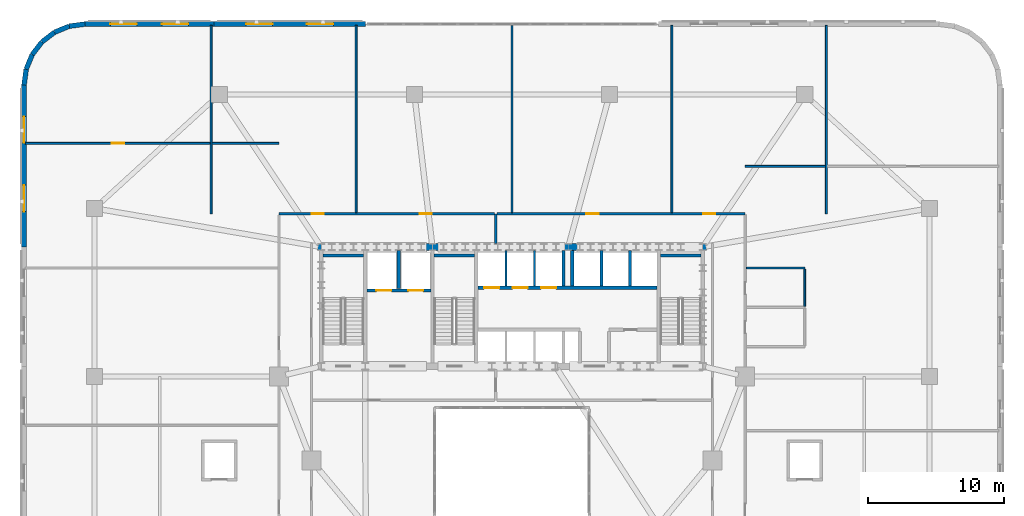
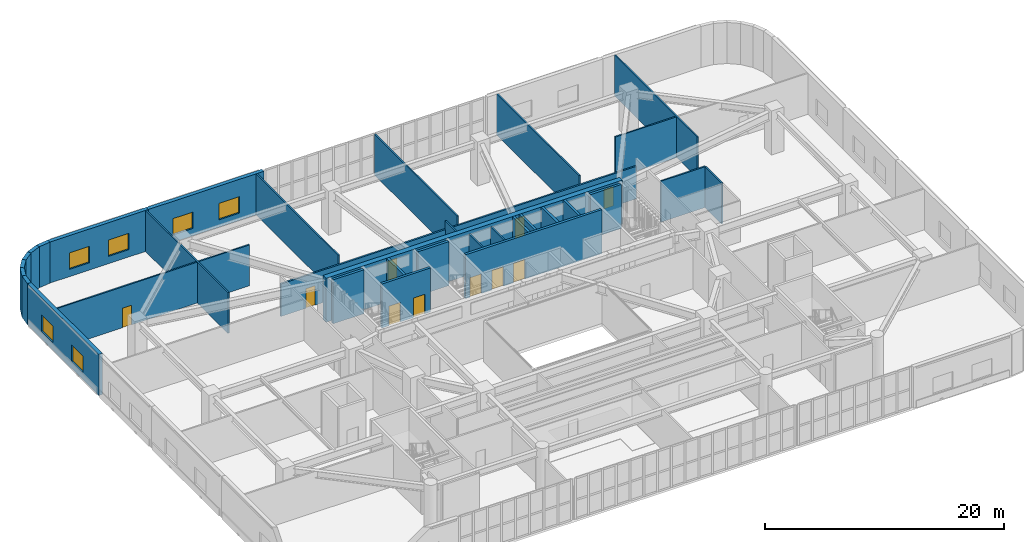
# One storey, part 16 of 25: 35 walls, 10 doors, 6 windows, 16 openings.
"""IFC4 building model written with IfcOpenShell, lengths in metres."""

from ifc_helpers import new_model, si_unit, direction, frame, frame_2d, origin, place, context, subcontext, project, spatial, rectangle, extrude, material, layer, layer_set, type_object, element, fill, save


model = new_model("IFC4")

# Units and contexts
model_context = context("Model", 3, precision=1e-05, world=origin(), true_north=direction((0.0, 1.0)))
body_context = subcontext(model_context, "Body", "Model", "MODEL_VIEW")
ifc_project = project(units=[si_unit("LENGTHUNIT", "METRE"), si_unit("AREAUNIT", "SQUARE_METRE"), si_unit("VOLUMEUNIT", "CUBIC_METRE"), si_unit("PLANEANGLEUNIT", "RADIAN"), si_unit("MASSUNIT", "GRAM", prefix="KILO")], contexts=[model_context])

# Site, building, storey
site_placement = place(None, origin())
site = spatial("IfcSite", under=ifc_project, at=site_placement, CompositionType="ELEMENT")
building_placement = place(site_placement, origin())
building = spatial("IfcBuilding", under=site, at=building_placement, Name="Haldorwick Loom Tower", CompositionType="ELEMENT")
storey_placement = place(building_placement, frame((0.0, 0.0, 10.5)))
storey = spatial("IfcBuildingStorey", under=building, at=storey_placement, Name="L02", CompositionType="ELEMENT", Elevation=10.5)

# Wall, openings, windows
ifc_material_1 = material(Name="Pressed Clay Face Brick and Insulated Masonry Backup Assembly", Category="masonry")
ifc_layer_1 = layer(ifc_material_1, 0.360107421875, Name="Pressed Clay Face Brick and Insulated Masonry Backup Assembly", Category="masonry")
ifc_layer_set_1 = layer_set([ifc_layer_1], Name="Pressed Clay Face Brick and Insulated Masonry Backup Assembly")
wall_type_1 = type_object("IfcWallType", Name="ARC-WL-EXT360", PredefinedType="STANDARD", material=ifc_layer_set_1)
wall_1_placement = place(storey_placement, frame((25.199951171875, 52.0, 0.0), z_axis=(0.0, 0.0, 1.0), x_axis=(-1.0, 0.0, 0.0)))
wall_1 = element("IfcWall", 1, at=wall_1_placement, inside=storey, type_object=wall_type_1, Name="L02 Brick Pier and Spandrel Wall 20", PredefinedType="STANDARD", context=body_context, shape_type="SweptSolid", body=[
    extrude(rectangle(XDim=11.199951171875, YDim=0.360107421875, at=frame_2d((5.60009765625, 0.0))), origin(), (0.0, 0.0, 1.0), 4.199951171875),
])
opening_1_placement = place(wall_1_placement, frame((2.385009765625, 0.0, 0.75)))
opening_1 = element("IfcOpeningElement", 2, at=opening_1_placement, cuts=wall_1, Name="Opening W-04B", PredefinedType="OPENING", context=body_context, shape_type="SweptSolid", body=[
    extrude(rectangle(XDim=1.949951171875, YDim=1.679931640625, at=frame_2d((0.97509765625, 0.83984375))), frame((0.0, 0.18994140625, 0.0), z_axis=(0.0, -1.0, 0.0), x_axis=(1.0, 0.0, 0.0)), (0.0, 0.0, 1.0), 0.380126953125),
])
opening_2_placement = place(wall_1_placement, frame((6.864990234375, 0.0, 0.75)))
opening_2 = element("IfcOpeningElement", 3, at=opening_2_placement, cuts=wall_1, Name="Opening W-04B", PredefinedType="OPENING", context=body_context, shape_type="SweptSolid", body=[
    extrude(rectangle(XDim=1.949951171875, YDim=1.679931640625, at=frame_2d((0.97509765625, 0.83984375))), frame((0.0, 0.18994140625, 0.0), z_axis=(0.0, -1.0, 0.0), x_axis=(1.0, 0.0, 0.0)), (0.0, 0.0, 1.0), 0.380126953125),
])
ifc_material_2 = material(Name="Triple-Glazed Low-E Argon Insulated Glazing Unit", Category="glass")
window_type = type_object("IfcWindowType", Name="ARC-WIN-W195", PartitioningType="SINGLE_PANEL", PredefinedType="WINDOW", material=ifc_material_2)
window_1_placement = place(opening_1_placement, origin())
window_1 = element("IfcWindow", 4, at=window_1_placement, inside=storey, type_object=window_type, Name="L02 Deep-Set Zone 7A Window 20", OverallHeight=1.679931640625, OverallWidth=1.949951171875, PartitioningType="SINGLE_PANEL", PredefinedType="WINDOW", context=body_context, shape_type="SweptSolid", body=[
    extrude(rectangle(XDim=1.949951171875, YDim=1.679931640625, at=frame_2d((0.97509765625, 0.83984375))), frame((0.0, 0.030029296875, 0.0), z_axis=(0.0, -1.0, 0.0), x_axis=(1.0, 0.0, 0.0)), (0.0, 0.0, 1.0), 0.06005859375),
])
fill(opening_1, window_1)
window_2_placement = place(opening_2_placement, origin())
window_2 = element("IfcWindow", 5, at=window_2_placement, inside=storey, type_object=window_type, Name="L02 Deep-Set Zone 7A Window 20", OverallHeight=1.679931640625, OverallWidth=1.949951171875, PartitioningType="SINGLE_PANEL", PredefinedType="WINDOW", context=body_context, shape_type="SweptSolid", body=[
    extrude(rectangle(XDim=1.949951171875, YDim=1.679931640625, at=frame_2d((0.97509765625, 0.83984375))), frame((0.0, 0.030029296875, 0.0), z_axis=(0.0, -1.0, 0.0), x_axis=(1.0, 0.0, 0.0)), (0.0, 0.0, 1.0), 0.06005859375),
])
fill(opening_2, window_2)

wall_2_placement = place(storey_placement, frame((14.0, 52.0, 0.0), z_axis=(0.0, 0.0, 1.0), x_axis=(-1.0, 0.0, 0.0)))
wall_2 = element("IfcWall", 6, at=wall_2_placement, inside=storey, type_object=wall_type_1, Name="L02 Brick Pier and Spandrel Wall 21", PredefinedType="STANDARD", context=body_context, shape_type="SweptSolid", body=[
    extrude(rectangle(XDim=9.5, YDim=0.360107421875, at=frame_2d((4.75, 0.0))), origin(), (0.0, 0.0, 1.0), 4.199951171875),
])
opening_3_placement = place(wall_2_placement, frame((1.875, 0.0, 0.75)))
opening_3 = element("IfcOpeningElement", 7, at=opening_3_placement, cuts=wall_2, Name="Opening W-04B", PredefinedType="OPENING", context=body_context, shape_type="SweptSolid", body=[
    extrude(rectangle(XDim=1.949951171875, YDim=1.679931640625, at=frame_2d((0.97509765625, 0.83984375))), frame((0.0, 0.18994140625, 0.0), z_axis=(0.0, -1.0, 0.0), x_axis=(1.0, 0.0, 0.0)), (0.0, 0.0, 1.0), 0.380126953125),
])
opening_4_placement = place(wall_2_placement, frame((5.675048828125, 0.0, 0.75)))
opening_4 = element("IfcOpeningElement", 8, at=opening_4_placement, cuts=wall_2, Name="Opening W-04B", PredefinedType="OPENING", context=body_context, shape_type="SweptSolid", body=[
    extrude(rectangle(XDim=1.949951171875, YDim=1.679931640625, at=frame_2d((0.97509765625, 0.83984375))), frame((0.0, 0.18994140625, 0.0), z_axis=(0.0, -1.0, 0.0), x_axis=(1.0, 0.0, 0.0)), (0.0, 0.0, 1.0), 0.380126953125),
])
window_3_placement = place(opening_3_placement, origin())
window_3 = element("IfcWindow", 9, at=window_3_placement, inside=storey, type_object=window_type, Name="L02 Deep-Set Zone 7A Window 21", OverallHeight=1.679931640625, OverallWidth=1.949951171875, PartitioningType="SINGLE_PANEL", PredefinedType="WINDOW", context=body_context, shape_type="SweptSolid", body=[
    extrude(rectangle(XDim=1.949951171875, YDim=1.679931640625, at=frame_2d((0.97509765625, 0.83984375))), frame((0.0, 0.030029296875, 0.0), z_axis=(0.0, -1.0, 0.0), x_axis=(1.0, 0.0, 0.0)), (0.0, 0.0, 1.0), 0.06005859375),
])
fill(opening_3, window_3)
window_4_placement = place(opening_4_placement, origin())
window_4 = element("IfcWindow", 10, at=window_4_placement, inside=storey, type_object=window_type, Name="L02 Deep-Set Zone 7A Window 21", OverallHeight=1.679931640625, OverallWidth=1.949951171875, PartitioningType="SINGLE_PANEL", PredefinedType="WINDOW", context=body_context, shape_type="SweptSolid", body=[
    extrude(rectangle(XDim=1.949951171875, YDim=1.679931640625, at=frame_2d((0.97509765625, 0.83984375))), frame((0.0, 0.030029296875, 0.0), z_axis=(0.0, -1.0, 0.0), x_axis=(1.0, 0.0, 0.0)), (0.0, 0.0, 1.0), 0.06005859375),
])
fill(opening_4, window_4)

# Walls
wall_3_placement = place(storey_placement, frame((4.5, 52.0, 0.0), z_axis=(0.0, 0.0, 1.0), x_axis=(-0.991447928588, -0.130502892298, 0.0)))
element("IfcWall", 11, at=wall_3_placement, inside=storey, type_object=wall_type_1, Name="L02 Brick Pier and Spandrel Wall 22", PredefinedType="STANDARD", context=body_context, shape_type="SweptSolid", body=[
    extrude(rectangle(XDim=1.1748046875, YDim=0.360107421875, at=frame_2d((0.58740234375, 0.0))), origin(), (0.0, 0.0, 1.0), 4.199951171875),
])
wall_4_placement = place(storey_placement, frame((3.335205078125, 51.8466796875, 0.0), z_axis=(0.0, 0.0, 1.0), x_axis=(-0.923892706888, -0.382651625058, 0.0)))
element("IfcWall", 12, at=wall_4_placement, inside=storey, type_object=wall_type_1, Name="L02 Brick Pier and Spandrel Wall 23", PredefinedType="STANDARD", context=body_context, shape_type="SweptSolid", body=[
    extrude(rectangle(XDim=1.174560546875, YDim=0.360107421875, at=frame_2d((0.58740234375, 0.0))), origin(), (0.0, 0.0, 1.0), 4.199951171875),
])
for number, where, z_axis, x_axis, name in (
    (13, (2.25, 51.397216796875, 0.0), (0.0, 0.0, 1.0), (-0.79324162823, -0.60890698735, 0.0), "L02 Brick Pier and Spandrel Wall 24"),
    (14, (1.318115234375, 50.681884765625, 0.0), (0.0, 0.0, 1.0), (-0.60890698735, -0.79324162823, 0.0), "L02 Brick Pier and Spandrel Wall 25"),
):
    element("IfcWall", number, at=place(storey_placement, frame(where, z_axis=z_axis, x_axis=x_axis)), inside=storey, type_object=wall_type_1, Name=name, PredefinedType="STANDARD", context=body_context, shape_type="SweptSolid", body=[
        extrude(rectangle(XDim=1.1748046875, YDim=0.360107421875, at=frame_2d((0.58740234375, 0.0))), origin(), (0.0, 0.0, 1.0), 4.199951171875),
    ])
wall_5_placement = place(storey_placement, frame((0.602783203125, 49.75, 0.0), z_axis=(0.0, 0.0, 1.0), x_axis=(-0.382651625058, -0.923892706888, 0.0)))
element("IfcWall", 15, at=wall_5_placement, inside=storey, type_object=wall_type_1, Name="L02 Brick Pier and Spandrel Wall 26", PredefinedType="STANDARD", context=body_context, shape_type="SweptSolid", body=[
    extrude(rectangle(XDim=1.174560546875, YDim=0.360107421875, at=frame_2d((0.58740234375, 0.0))), origin(), (0.0, 0.0, 1.0), 4.199951171875),
])
wall_6_placement = place(storey_placement, frame((0.1533203125, 48.664794921875, 0.0), z_axis=(0.0, 0.0, 1.0), x_axis=(-0.130502892298, -0.991447928588, 0.0)))
element("IfcWall", 16, at=wall_6_placement, inside=storey, type_object=wall_type_1, Name="L02 Brick Pier and Spandrel Wall 27", PredefinedType="STANDARD", context=body_context, shape_type="SweptSolid", body=[
    extrude(rectangle(XDim=1.1748046875, YDim=0.360107421875, at=frame_2d((0.58740234375, 0.0))), origin(), (0.0, 0.0, 1.0), 4.199951171875),
])

# Wall, openings, windows
wall_7_placement = place(storey_placement, frame((0.0, 47.5, 0.0), z_axis=(0.0, 0.0, 1.0), x_axis=(0.0, -1.0, 0.0)))
wall_7 = element("IfcWall", 17, at=wall_7_placement, inside=storey, type_object=wall_type_1, Name="L02 Brick Pier and Spandrel Wall 28", PredefinedType="STANDARD", context=body_context, shape_type="SweptSolid", body=[
    extrude(rectangle(XDim=11.949951171875, YDim=0.360107421875, at=frame_2d((5.97509765625, 0.0))), origin(), (0.0, 0.0, 1.0), 4.199951171875),
])
opening_5_placement = place(wall_7_placement, frame((2.32421875, 0.0, 0.75)))
opening_5 = element("IfcOpeningElement", 18, at=opening_5_placement, cuts=wall_7, Name="Opening W-04B", PredefinedType="OPENING", context=body_context, shape_type="SweptSolid", body=[
    extrude(rectangle(XDim=1.949951171875, YDim=1.679931640625, at=frame_2d((0.97509765625, 0.83984375))), frame((0.0, 0.18994140625, 0.0), z_axis=(0.0, -1.0, 0.0), x_axis=(1.0, 0.0, 0.0)), (0.0, 0.0, 1.0), 0.380126953125),
])
opening_6_placement = place(wall_7_placement, frame((7.389892578125, 0.0, 0.75)))
opening_6 = element("IfcOpeningElement", 19, at=opening_6_placement, cuts=wall_7, Name="Opening W-04B", PredefinedType="OPENING", context=body_context, shape_type="SweptSolid", body=[
    extrude(rectangle(XDim=1.949951171875, YDim=1.679931640625, at=frame_2d((0.97509765625, 0.83984375))), frame((0.0, 0.18994140625, 0.0), z_axis=(0.0, -1.0, 0.0), x_axis=(1.0, 0.0, 0.0)), (0.0, 0.0, 1.0), 0.380126953125),
])
window_5_placement = place(opening_5_placement, origin())
window_5 = element("IfcWindow", 20, at=window_5_placement, inside=storey, type_object=window_type, Name="L02 Deep-Set Zone 7A Window 28", OverallHeight=1.679931640625, OverallWidth=1.949951171875, PartitioningType="SINGLE_PANEL", PredefinedType="WINDOW", context=body_context, shape_type="SweptSolid", body=[
    extrude(rectangle(XDim=1.949951171875, YDim=1.679931640625, at=frame_2d((0.97509765625, 0.83984375))), frame((0.0, 0.030029296875, 0.0), z_axis=(0.0, -1.0, 0.0), x_axis=(1.0, 0.0, 0.0)), (0.0, 0.0, 1.0), 0.06005859375),
])
fill(opening_5, window_5)
window_6_placement = place(opening_6_placement, origin())
window_6 = element("IfcWindow", 21, at=window_6_placement, inside=storey, type_object=window_type, Name="L02 Deep-Set Zone 7A Window 28", OverallHeight=1.679931640625, OverallWidth=1.949951171875, PartitioningType="SINGLE_PANEL", PredefinedType="WINDOW", context=body_context, shape_type="SweptSolid", body=[
    extrude(rectangle(XDim=1.949951171875, YDim=1.679931640625, at=frame_2d((0.97509765625, 0.83984375))), frame((0.0, 0.030029296875, 0.0), z_axis=(0.0, -1.0, 0.0), x_axis=(1.0, 0.0, 0.0)), (0.0, 0.0, 1.0), 0.06005859375),
])
fill(opening_6, window_6)

# Wall
ifc_material_3 = material(Name="Fire-Rated Type X Gypsum Stud Assembly EI 60")
ifc_layer_2 = layer(ifc_material_3, 0.159912109375, Name="Fire-Rated Type X Gypsum Stud Assembly EI 60")
ifc_layer_set_2 = layer_set([ifc_layer_2], Name="Fire-Rated Type X Gypsum Stud Assembly EI 60")
wall_type_2 = type_object("IfcWallType", Name="ARC-WL-FIRE160", PredefinedType="PARTITIONING", material=ifc_layer_set_2)
wall_8_placement = place(storey_placement, frame((34.800048828125, 35.802978515625, 0.0), z_axis=(0.0, 0.0, 1.0), x_axis=(0.0, 1.0, 0.0)))
element("IfcWall", 22, at=wall_8_placement, inside=storey, type_object=wall_type_2, Name="L02 Podium Partition L02-CCN", PredefinedType="PARTITIONING", context=body_context, shape_type="SweptSolid", body=[
    extrude(rectangle(XDim=2.197021484375, YDim=0.159912109375, at=frame_2d((1.0986328125, 0.0))), origin(), (0.0, 0.0, 1.0), 4.18505859375),
])

# Wall, openings, doors
wall_9_placement = place(storey_placement, frame((18.800048828125, 38.0, 0.0), z_axis=(0.0, 0.0, 1.0), x_axis=(1.0, 0.0, 0.0)))
wall_9 = element("IfcWall", 23, at=wall_9_placement, inside=storey, type_object=wall_type_2, Name="L02 Podium Partition L02-CN0", PredefinedType="PARTITIONING", context=body_context, shape_type="SweptSolid", body=[
    extrude(rectangle(XDim=15.9169921875, YDim=0.159912109375, at=frame_2d((7.95849609375, 0.0))), origin(), (0.0, 0.0, 1.0), 3.320068359375),
])
opening_7_placement = place(wall_9_placement, frame((10.38232421875, 0.0, 0.0)))
opening_7 = element("IfcOpeningElement", 24, at=opening_7_placement, cuts=wall_9, Name="Opening D-FD60A", PredefinedType="OPENING", context=body_context, shape_type="SweptSolid", body=[
    extrude(rectangle(XDim=0.89990234375, YDim=2.0, at=frame_2d((0.449951171875, 1.0))), frame((0.0, 0.08984375, 0.0), z_axis=(0.0, -1.0, 0.0), x_axis=(1.0, 0.0, 0.0)), (0.0, 0.0, 1.0), 0.179931640625),
])
opening_8_placement = place(wall_9_placement, frame((2.423828125, 0.0, 0.0)))
opening_8 = element("IfcOpeningElement", 25, at=opening_8_placement, cuts=wall_9, Name="Opening D-FD60A", PredefinedType="OPENING", context=body_context, shape_type="SweptSolid", body=[
    extrude(rectangle(XDim=0.89990234375, YDim=2.0, at=frame_2d((0.449951171875, 1.0))), frame((0.0, 0.08984375, 0.0), z_axis=(0.0, -1.0, 0.0), x_axis=(1.0, 0.0, 0.0)), (0.0, 0.0, 1.0), 0.179931640625),
])
ifc_material_4 = material(Name="Hollow Steel Fire Door Assembly", Category="steel")
door_type_1 = type_object("IfcDoorType", Name="ARC-DR-FD60-90", OperationType="NOTDEFINED", PredefinedType="DOOR", material=ifc_material_4)
door_1_placement = place(opening_7_placement, frame((0.89990234375, 0.0, 0.0), z_axis=(0.0, 0.0, 1.0), x_axis=(-1.0, 0.0, 0.0)))
door_1 = element("IfcDoor", 26, at=door_1_placement, inside=storey, type_object=door_type_1, Name="L02 Outpatient Waiting Hall 22 to L02 South Clinic Corridor Door", OperationType="SINGLE_SWING_RIGHT", OverallHeight=2.0, OverallWidth=0.89990234375, PredefinedType="DOOR", context=body_context, shape_type="SweptSolid", body=[
    extrude(rectangle(XDim=0.89990234375, YDim=2.0, at=frame_2d((0.449951171875, 1.0))), frame((0.0, 0.02490234375, 0.0), z_axis=(0.0, -1.0, 0.0), x_axis=(1.0, 0.0, 0.0)), (0.0, 0.0, 1.0), 0.050048828125),
])
fill(opening_7, door_1)
door_2_placement = place(opening_8_placement, frame((0.89990234375, 0.0, 0.0), z_axis=(0.0, 0.0, 1.0), x_axis=(-1.0, 0.0, 0.0)))
door_2 = element("IfcDoor", 27, at=door_2_placement, inside=storey, type_object=door_type_1, Name="L02 Outpatient Waiting Hall 21 to L02 South Clinic Corridor Door", OperationType="SINGLE_SWING_RIGHT", OverallHeight=2.0, OverallWidth=0.89990234375, PredefinedType="DOOR", context=body_context, shape_type="SweptSolid", body=[
    extrude(rectangle(XDim=0.89990234375, YDim=2.0, at=frame_2d((0.449951171875, 1.0))), frame((0.0, 0.02490234375, 0.0), z_axis=(0.0, -1.0, 0.0), x_axis=(1.0, 0.0, 0.0)), (0.0, 0.0, 1.0), 0.050048828125),
])
fill(opening_8, door_2)

wall_10_placement = place(storey_placement, frame((34.883056640625, 38.0, 0.0), z_axis=(0.0, 0.0, 1.0), x_axis=(1.0, 0.0, 0.0)))
wall_10 = element("IfcWall", 28, at=wall_10_placement, inside=storey, type_object=wall_type_2, Name="L02 Podium Partition L02-CN0", PredefinedType="PARTITIONING", context=body_context, shape_type="SweptSolid", body=[
    extrude(rectangle(XDim=18.31689453125, YDim=0.159912109375, at=frame_2d((9.158447265625, 0.0))), origin(), (0.0, 0.0, 1.0), 3.320068359375),
])
opening_9_placement = place(wall_10_placement, frame((6.612060546875, 0.0, 0.0)))
opening_9 = element("IfcOpeningElement", 29, at=opening_9_placement, cuts=wall_10, Name="Opening D-FD60A", PredefinedType="OPENING", context=body_context, shape_type="SweptSolid", body=[
    extrude(rectangle(XDim=0.89990234375, YDim=2.0, at=frame_2d((0.449951171875, 1.0))), frame((0.0, 0.08984375, 0.0), z_axis=(0.0, -1.0, 0.0), x_axis=(1.0, 0.0, 0.0)), (0.0, 0.0, 1.0), 0.179931640625),
])
opening_10_placement = place(wall_10_placement, frame((15.21875, 0.0, 0.0)))
opening_10 = element("IfcOpeningElement", 30, at=opening_10_placement, cuts=wall_10, Name="Opening D-FD60A", PredefinedType="OPENING", context=body_context, shape_type="SweptSolid", body=[
    extrude(rectangle(XDim=0.89990234375, YDim=2.0, at=frame_2d((0.449951171875, 1.0))), frame((0.0, 0.08984375, 0.0), z_axis=(0.0, -1.0, 0.0), x_axis=(1.0, 0.0, 0.0)), (0.0, 0.0, 1.0), 0.179931640625),
])
door_3_placement = place(opening_9_placement, frame((0.89990234375, 0.0, 0.0), z_axis=(0.0, 0.0, 1.0), x_axis=(-1.0, 0.0, 0.0)))
door_3 = element("IfcDoor", 31, at=door_3_placement, inside=storey, type_object=door_type_1, Name="L02 Clinic Conference Room 23 to L02 South Clinic Corridor Door", OperationType="SINGLE_SWING_LEFT", OverallHeight=2.0, OverallWidth=0.89990234375, PredefinedType="DOOR", context=body_context, shape_type="SweptSolid", body=[
    extrude(rectangle(XDim=0.89990234375, YDim=2.0, at=frame_2d((0.449951171875, 1.0))), frame((0.0, 0.02490234375, 0.0), z_axis=(0.0, -1.0, 0.0), x_axis=(1.0, 0.0, 0.0)), (0.0, 0.0, 1.0), 0.050048828125),
])
fill(opening_9, door_3)
door_4_placement = place(opening_10_placement, frame((0.89990234375, 0.0, 0.0), z_axis=(0.0, 0.0, 1.0), x_axis=(-1.0, 0.0, 0.0)))
door_4 = element("IfcDoor", 32, at=door_4_placement, inside=storey, type_object=door_type_1, Name="L02 Physician Consulting Office 20 to L02 South Clinic Corridor Door", OperationType="SINGLE_SWING_LEFT", OverallHeight=2.0, OverallWidth=0.89990234375, PredefinedType="DOOR", context=body_context, shape_type="SweptSolid", body=[
    extrude(rectangle(XDim=0.89990234375, YDim=2.0, at=frame_2d((0.449951171875, 1.0))), frame((0.0, 0.02490234375, 0.0), z_axis=(0.0, -1.0, 0.0), x_axis=(1.0, 0.0, 0.0)), (0.0, 0.0, 1.0), 0.050048828125),
])
fill(opening_10, door_4)

# Walls
ifc_layer_3 = layer(ifc_material_3, 0.139892578125, Name="Fire-Rated Type X Gypsum Stud Assembly EI 60")
ifc_layer_set_3 = layer_set([ifc_layer_3], Name="Fire-Rated Type X Gypsum Stud Assembly EI 60")
wall_type_3 = type_object("IfcWallType", Name="ARC-WL-PART140", PredefinedType="PARTITIONING", material=ifc_layer_set_3)
wall_11_placement = place(storey_placement, frame((53.282958984375, 34.0, 0.0), z_axis=(0.0, 0.0, 1.0), x_axis=(1.0, 0.0, 0.0)))
element("IfcWall", 33, at=wall_11_placement, inside=storey, type_object=wall_type_3, Name="L02 Podium Partition L02-WC3", PredefinedType="PARTITIONING", context=body_context, shape_type="SweptSolid", body=[
    extrude(rectangle(XDim=4.317138671875, YDim=0.139892578125, at=frame_2d((2.15869140625, 0.0))), origin(), (0.0, 0.0, 1.0), 4.18505859375),
])
wall_12_placement = place(storey_placement, frame((57.60009765625, 31.173095703125, 0.0), z_axis=(0.0, 0.0, 1.0), x_axis=(0.0, 1.0, 0.0)))
element("IfcWall", 34, at=wall_12_placement, inside=storey, type_object=wall_type_3, Name="L02 Podium Partition L02-WC4", PredefinedType="PARTITIONING", context=body_context, shape_type="SweptSolid", body=[
    extrude(rectangle(XDim=2.75390625, YDim=0.139892578125, at=frame_2d((1.376953125, 0.0))), origin(), (0.0, 0.0, 1.0), 4.18505859375),
])
wall_13_placement = place(storey_placement, frame((13.800048828125, 38.0, 0.0), z_axis=(0.0, 0.0, 1.0), x_axis=(0.0, 1.0, 0.0)))
element("IfcWall", 35, at=wall_13_placement, inside=storey, type_object=wall_type_3, Name="L02 Podium Partition L02-PN-0", PredefinedType="PARTITIONING", context=body_context, shape_type="SweptSolid", body=[
    extrude(rectangle(XDim=13.89990234375, YDim=0.139892578125, at=frame_2d((6.949951171875, 0.0))), origin(), (0.0, 0.0, 1.0), 4.18505859375),
])
for number, where, z_axis, x_axis, name in (
    (36, (24.5, 38.0830078125, 0.0), (0.0, 0.0, 1.0), (0.0, 1.0, 0.0), "L02 Podium Partition L02-PN-1"),
    (37, (36.0, 38.0830078125, 0.0), (0.0, 0.0, 1.0), (0.0, 1.0, 0.0), "L02 Podium Partition L02-PN-2"),
    (38, (47.800048828125, 38.0830078125, 0.0), (0.0, 0.0, 1.0), (0.0, 1.0, 0.0), "L02 Podium Partition L02-PN-3"),
):
    element("IfcWall", number, at=place(storey_placement, frame(where, z_axis=z_axis, x_axis=x_axis)), inside=storey, type_object=wall_type_3, Name=name, PredefinedType="PARTITIONING", context=body_context, shape_type="SweptSolid", body=[
        extrude(rectangle(XDim=13.81689453125, YDim=0.139892578125, at=frame_2d((6.908447265625, 0.0))), origin(), (0.0, 0.0, 1.0), 4.18505859375),
    ])
wall_14_placement = place(storey_placement, frame((59.199951171875, 38.0, 0.0), z_axis=(0.0, 0.0, 1.0), x_axis=(0.0, 1.0, 0.0)))
element("IfcWall", 39, at=wall_14_placement, inside=storey, type_object=wall_type_3, Name="L02 Podium Partition L02-PN-4", PredefinedType="PARTITIONING", context=body_context, shape_type="SweptSolid", body=[
    extrude(rectangle(XDim=13.89990234375, YDim=0.139892578125, at=frame_2d((6.949951171875, 0.0))), origin(), (0.0, 0.0, 1.0), 4.18505859375),
])

# Wall, opening, door
wall_15_placement = place(storey_placement, frame((0.10009765625, 43.199951171875, 0.0), z_axis=(0.0, 0.0, 1.0), x_axis=(1.0, 0.0, 0.0)))
wall_15 = element("IfcWall", 40, at=wall_15_placement, inside=storey, type_object=wall_type_3, Name="L02 Podium Partition L02-PW-3", PredefinedType="PARTITIONING", context=body_context, shape_type="SweptSolid", body=[
    extrude(rectangle(XDim=13.626953125, YDim=0.139892578125, at=frame_2d((6.8134765625, 0.0))), origin(), (0.0, 0.0, 1.0), 4.18505859375),
])
opening_11_placement = place(wall_15_placement, frame((6.37353515625, 0.0, 0.0)))
opening_11 = element("IfcOpeningElement", 41, at=opening_11_placement, cuts=wall_15, Name="Opening D-FD60A", PredefinedType="OPENING", context=body_context, shape_type="SweptSolid", body=[
    extrude(rectangle(XDim=0.89990234375, YDim=2.0, at=frame_2d((0.449951171875, 1.0))), frame((0.0, 0.079833984375, 0.0), z_axis=(0.0, -1.0, 0.0), x_axis=(1.0, 0.0, 0.0)), (0.0, 0.0, 1.0), 0.159912109375),
])
door_5_placement = place(opening_11_placement, frame((0.89990234375, 0.0, 0.0), z_axis=(0.0, 0.0, 1.0), x_axis=(-1.0, 0.0, 0.0)))
door_5 = element("IfcDoor", 42, at=door_5_placement, inside=storey, type_object=door_type_1, Name="L02 Primary Care Examination Room 25 to Outpatient Waiting Hall 21 Door", OperationType="SINGLE_SWING_LEFT", OverallHeight=2.0, OverallWidth=0.89990234375, PredefinedType="DOOR", context=body_context, shape_type="SweptSolid", body=[
    extrude(rectangle(XDim=0.89990234375, YDim=2.0, at=frame_2d((0.449951171875, 1.0))), frame((0.0, 0.02490234375, 0.0), z_axis=(0.0, -1.0, 0.0), x_axis=(1.0, 0.0, 0.0)), (0.0, 0.0, 1.0), 0.050048828125),
])
fill(opening_11, door_5)

# Walls
wall_16_placement = place(storey_placement, frame((13.873046875, 43.199951171875, 0.0), z_axis=(0.0, 0.0, 1.0), x_axis=(1.0, 0.0, 0.0)))
element("IfcWall", 43, at=wall_16_placement, inside=storey, type_object=wall_type_3, Name="L02 Podium Partition L02-PW-3", PredefinedType="PARTITIONING", context=body_context, shape_type="SweptSolid", body=[
    extrude(rectangle(XDim=4.927001953125, YDim=0.139892578125, at=frame_2d((2.46337890625, 0.0))), origin(), (0.0, 0.0, 1.0), 4.18505859375),
])
wall_17_placement = place(storey_placement, frame((53.199951171875, 41.5, 0.0), z_axis=(0.0, 0.0, 1.0), x_axis=(1.0, 0.0, 0.0)))
element("IfcWall", 44, at=wall_17_placement, inside=storey, type_object=wall_type_3, Name="L02 Podium Partition L02-PE-2", PredefinedType="PARTITIONING", context=body_context, shape_type="SweptSolid", body=[
    extrude(rectangle(XDim=5.927001953125, YDim=0.139892578125, at=frame_2d((2.96337890625, 0.0))), origin(), (0.0, 0.0, 1.0), 4.18505859375),
])
ifc_material_5 = material(Name="Fire-Rated Type X Gypsum Stud Assembly EI 120")
ifc_layer_4 = layer(ifc_material_5, 0.1650390625, Name="Fire-Rated Type X Gypsum Stud Assembly EI 120")
ifc_layer_set_4 = layer_set([ifc_layer_4], Name="Fire-Rated Type X Gypsum Stud Assembly EI 120")
wall_type_4 = type_object("IfcWallType", Name="ARC-WL-SHAFT160", PredefinedType="MOVABLE", material=ifc_layer_set_4)
for number, where, z_axis, x_axis, name in (
    (45, (35.550048828125, 32.673095703125, 0.0), (0.0, 0.0, 1.0), (0.0, 1.0, 0.0), "L02 Low-Rise Hoistway Divider 1"),
    (46, (37.64990234375, 32.673095703125, 0.0), (0.0, 0.0, 1.0), (0.0, 1.0, 0.0), "L02 Low-Rise Hoistway Divider 2"),
):
    element("IfcWall", number, at=place(storey_placement, frame(where, z_axis=z_axis, x_axis=x_axis)), inside=storey, type_object=wall_type_4, Name=name, PredefinedType="MOVABLE", context=body_context, shape_type="SweptSolid", body=[
        extrude(rectangle(XDim=2.6240234375, YDim=0.159912109375, at=frame_2d((1.31201171875, 0.0))), origin(), (0.0, 0.0, 1.0), 4.18505859375),
    ])
ifc_material_6 = material(Name="Concrete C60 (60 MPa)", Category="concrete")
ifc_layer_5 = layer(ifc_material_6, 0.5, Name="Concrete C60 (60 MPa)", Category="concrete")
ifc_layer_set_5 = layer_set([ifc_layer_5], Name="Concrete C60 (60 MPa)")
wall_type_5 = type_object("IfcWallType", Name="STR-WL-CORE500", PredefinedType="SHEAR", material=ifc_layer_set_5)
wall_18_placement = place(storey_placement, frame((50.35009765625, 35.550048828125, 0.0), z_axis=(0.0, 0.0, 1.0), x_axis=(-1.0, 0.0, 0.0)))
element("IfcWall", 47, at=wall_18_placement, inside=storey, type_object=wall_type_5, Name="L02 Core Shear Wall N", PredefinedType="SHEAR", context=body_context, shape_type="SweptSolid", body=[
    extrude(rectangle(XDim=28.7001953125, YDim=0.5, at=frame_2d((14.35009765625, 0.0))), origin(), (0.0, 0.0, 1.0), 4.5),
])
ifc_material_7 = material(Name="Concrete C50 (50 MPa)", Category="concrete")
ifc_layer_6 = layer(ifc_material_7, 0.239990234375, Name="Concrete C50 (50 MPa)", Category="concrete")
ifc_layer_set_6 = layer_set([ifc_layer_6], Name="Concrete C50 (50 MPa)")
wall_type_6 = type_object("IfcWallType", Name="STR-WL-SHAFT240", PredefinedType="SHEAR", material=ifc_layer_set_6)
for number, where, z_axis, x_axis, name in (
    (48, (22.052978515625, 34.919921875, 0.0), (0.0, 0.0, 1.0), (1.0, 0.0, 0.0), "L02 Core Shear Wall 1N"),
    (49, (30.2529296875, 34.919921875, 0.0), (0.0, 0.0, 1.0), (1.0, 0.0, 0.0), "L02 Core Shear Wall 3N"),
    (50, (46.952880859375, 34.919921875, 0.0), (0.0, 0.0, 1.0), (1.0, 0.0, 0.0), "L02 Core Shear Wall 4N"),
):
    element("IfcWall", number, at=place(storey_placement, frame(where, z_axis=z_axis, x_axis=x_axis)), inside=storey, type_object=wall_type_6, Name=name, PredefinedType="SHEAR", context=body_context, shape_type="SweptSolid", body=[
        extrude(rectangle(XDim=2.994140625, YDim=0.239990234375, at=frame_2d((1.4970703125, 0.0))), origin(), (0.0, 0.0, 1.0), 4.5),
    ])

# Wall, openings, doors
wall_19_placement = place(storey_placement, frame((25.29296875, 32.35009765625, 0.0), z_axis=(0.0, 0.0, 1.0), x_axis=(1.0, 0.0, 0.0)))
wall_19 = element("IfcWall", 51, at=wall_19_placement, inside=storey, type_object=wall_type_6, Name="L02 Core Shear Wall FF", PredefinedType="SHEAR", context=body_context, shape_type="SweptSolid", body=[
    extrude(rectangle(XDim=4.714111328125, YDim=0.239990234375, at=frame_2d((2.35693359375, 0.0))), origin(), (0.0, 0.0, 1.0), 4.5),
])
opening_12_placement = place(wall_19_placement, frame((0.70703125, 0.0, 0.0)))
opening_12 = element("IfcOpeningElement", 52, at=opening_12_placement, cuts=wall_19, Name="Opening LD-FF1", PredefinedType="OPENING", context=body_context, shape_type="SweptSolid", body=[
    extrude(rectangle(XDim=1.10009765625, YDim=2.0, at=frame_2d((0.550048828125, 1.0))), frame((0.0, 0.1298828125, 0.0), z_axis=(0.0, -1.0, 0.0), x_axis=(1.0, 0.0, 0.0)), (0.0, 0.0, 1.0), 0.260009765625),
])
opening_13_placement = place(wall_19_placement, frame((3.056884765625, 0.0, 0.0)))
opening_13 = element("IfcOpeningElement", 53, at=opening_13_placement, cuts=wall_19, Name="Opening LD-FF2", PredefinedType="OPENING", context=body_context, shape_type="SweptSolid", body=[
    extrude(rectangle(XDim=1.10009765625, YDim=2.0, at=frame_2d((0.550048828125, 1.0))), frame((0.0, 0.1298828125, 0.0), z_axis=(0.0, -1.0, 0.0), x_axis=(1.0, 0.0, 0.0)), (0.0, 0.0, 1.0), 0.260009765625),
])
door_type_2 = type_object("IfcDoorType", Name="ARC-DR-LD-FF", OperationType="NOTDEFINED", PredefinedType="USERDEFINED", material=ifc_material_4)
door_6_placement = place(opening_12_placement, origin())
door_6 = element("IfcDoor", 54, at=door_6_placement, inside=storey, type_object=door_type_2, Name="L02 Lift LF-FF1 Sliding Landing Door", ObjectType="LANDING DOOR", OperationType="DOUBLE_DOOR_SLIDING", OverallHeight=2.0, OverallWidth=1.10009765625, PredefinedType="USERDEFINED", context=body_context, shape_type="SweptSolid", body=[
    extrude(rectangle(XDim=1.10009765625, YDim=2.0, at=frame_2d((0.550048828125, 1.0))), frame((0.0, 0.02490234375, 0.0), z_axis=(0.0, -1.0, 0.0), x_axis=(1.0, 0.0, 0.0)), (0.0, 0.0, 1.0), 0.050048828125),
])
fill(opening_12, door_6)
door_7_placement = place(opening_13_placement, origin())
door_7 = element("IfcDoor", 55, at=door_7_placement, inside=storey, type_object=door_type_2, Name="L02 Lift LF-FF2 Sliding Landing Door", ObjectType="LANDING DOOR", OperationType="DOUBLE_DOOR_SLIDING", OverallHeight=2.0, OverallWidth=1.10009765625, PredefinedType="USERDEFINED", context=body_context, shape_type="SweptSolid", body=[
    extrude(rectangle(XDim=1.10009765625, YDim=2.0, at=frame_2d((0.550048828125, 1.0))), frame((0.0, 0.02490234375, 0.0), z_axis=(0.0, -1.0, 0.0), x_axis=(1.0, 0.0, 0.0)), (0.0, 0.0, 1.0), 0.050048828125),
])
fill(opening_13, door_7)

# Wall
wall_20_placement = place(storey_placement, frame((27.64990234375, 32.472900390625, 0.0), z_axis=(0.0, 0.0, 1.0), x_axis=(0.0, 1.0, 0.0)))
element("IfcWall", 56, at=wall_20_placement, inside=storey, type_object=wall_type_6, Name="L02 Core Shear Wall FFD", PredefinedType="SHEAR", context=body_context, shape_type="SweptSolid", body=[
    extrude(rectangle(XDim=2.82421875, YDim=0.239990234375, at=frame_2d((1.412109375, 0.0))), origin(), (0.0, 0.0, 1.0), 4.5),
])

# Wall, openings, doors
wall_21_placement = place(storey_placement, frame((33.492919921875, 32.550048828125, 0.0), z_axis=(0.0, 0.0, 1.0), x_axis=(1.0, 0.0, 0.0)))
wall_21 = element("IfcWall", 57, at=wall_21_placement, inside=storey, type_object=wall_type_6, Name="L02 Core Shear Wall LN", PredefinedType="SHEAR", context=body_context, shape_type="SweptSolid", body=[
    extrude(rectangle(XDim=13.214111328125, YDim=0.239990234375, at=frame_2d((6.60693359375, 0.0))), origin(), (0.0, 0.0, 1.0), 4.5),
])
opening_14_placement = place(wall_21_placement, frame((0.447021484375, 0.0, 0.0)))
opening_14 = element("IfcOpeningElement", 58, at=opening_14_placement, cuts=wall_21, Name="Opening LD-L1", PredefinedType="OPENING", context=body_context, shape_type="SweptSolid", body=[
    extrude(rectangle(XDim=1.1201171875, YDim=2.0, at=frame_2d((0.56005859375, 1.0))), frame((0.0, 0.1298828125, 0.0), z_axis=(0.0, -1.0, 0.0), x_axis=(1.0, 0.0, 0.0)), (0.0, 0.0, 1.0), 0.260009765625),
])
opening_15_placement = place(wall_21_placement, frame((2.547119140625, 0.0, 0.0)))
opening_15 = element("IfcOpeningElement", 59, at=opening_15_placement, cuts=wall_21, Name="Opening LD-L2", PredefinedType="OPENING", context=body_context, shape_type="SweptSolid", body=[
    extrude(rectangle(XDim=1.1201171875, YDim=2.0, at=frame_2d((0.56005859375, 1.0))), frame((0.0, 0.1298828125, 0.0), z_axis=(0.0, -1.0, 0.0), x_axis=(1.0, 0.0, 0.0)), (0.0, 0.0, 1.0), 0.260009765625),
])
opening_16_placement = place(wall_21_placement, frame((4.64697265625, 0.0, 0.0)))
opening_16 = element("IfcOpeningElement", 60, at=opening_16_placement, cuts=wall_21, Name="Opening LD-L3", PredefinedType="OPENING", context=body_context, shape_type="SweptSolid", body=[
    extrude(rectangle(XDim=1.1201171875, YDim=2.0, at=frame_2d((0.56005859375, 1.0))), frame((0.0, 0.1298828125, 0.0), z_axis=(0.0, -1.0, 0.0), x_axis=(1.0, 0.0, 0.0)), (0.0, 0.0, 1.0), 0.260009765625),
])
door_type_3 = type_object("IfcDoorType", Name="ARC-DR-LD-PAX", OperationType="NOTDEFINED", PredefinedType="USERDEFINED", material=ifc_material_4)
door_8_placement = place(opening_14_placement, origin())
door_8 = element("IfcDoor", 61, at=door_8_placement, inside=storey, type_object=door_type_3, Name="L02 Lift LF-L1 Sliding Landing Door", ObjectType="LANDING DOOR", OperationType="DOUBLE_DOOR_SLIDING", OverallHeight=2.0, OverallWidth=1.1201171875, PredefinedType="USERDEFINED", context=body_context, shape_type="SweptSolid", body=[
    extrude(rectangle(XDim=1.1201171875, YDim=2.0, at=frame_2d((0.56005859375, 1.0))), frame((0.0, 0.02490234375, 0.0), z_axis=(0.0, -1.0, 0.0), x_axis=(1.0, 0.0, 0.0)), (0.0, 0.0, 1.0), 0.050048828125),
])
fill(opening_14, door_8)
door_9_placement = place(opening_15_placement, origin())
door_9 = element("IfcDoor", 62, at=door_9_placement, inside=storey, type_object=door_type_3, Name="L02 Lift LF-L2 Sliding Landing Door", ObjectType="LANDING DOOR", OperationType="DOUBLE_DOOR_SLIDING", OverallHeight=2.0, OverallWidth=1.1201171875, PredefinedType="USERDEFINED", context=body_context, shape_type="SweptSolid", body=[
    extrude(rectangle(XDim=1.1201171875, YDim=2.0, at=frame_2d((0.56005859375, 1.0))), frame((0.0, 0.02490234375, 0.0), z_axis=(0.0, -1.0, 0.0), x_axis=(1.0, 0.0, 0.0)), (0.0, 0.0, 1.0), 0.050048828125),
])
fill(opening_15, door_9)
door_10_placement = place(opening_16_placement, origin())
door_10 = element("IfcDoor", 63, at=door_10_placement, inside=storey, type_object=door_type_3, Name="L02 Lift LF-L3 Sliding Landing Door", ObjectType="LANDING DOOR", OperationType="DOUBLE_DOOR_SLIDING", OverallHeight=2.0, OverallWidth=1.1201171875, PredefinedType="USERDEFINED", context=body_context, shape_type="SweptSolid", body=[
    extrude(rectangle(XDim=1.1201171875, YDim=2.0, at=frame_2d((0.56005859375, 1.0))), frame((0.0, 0.02490234375, 0.0), z_axis=(0.0, -1.0, 0.0), x_axis=(1.0, 0.0, 0.0)), (0.0, 0.0, 1.0), 0.050048828125),
])
fill(opening_16, door_10)

# Walls
for number, where, z_axis, x_axis, name in (
    (64, (39.800048828125, 32.673095703125, 0.0), (0.0, 0.0, 1.0), (0.0, 1.0, 0.0), "L02 Core Shear Wall LHW"),
    (65, (40.449951171875, 32.673095703125, 0.0), (0.0, 0.0, 1.0), (0.0, 1.0, 0.0), "L02 Core Shear Wall H0"),
    (66, (42.60009765625, 32.673095703125, 0.0), (0.0, 0.0, 1.0), (0.0, 1.0, 0.0), "L02 Core Shear Wall H1"),
    (67, (44.699951171875, 32.673095703125, 0.0), (0.0, 0.0, 1.0), (0.0, 1.0, 0.0), "L02 Core Shear Wall H2"),
):
    element("IfcWall", number, at=place(storey_placement, frame(where, z_axis=z_axis, x_axis=x_axis)), inside=storey, type_object=wall_type_6, Name=name, PredefinedType="SHEAR", context=body_context, shape_type="SweptSolid", body=[
        extrude(rectangle(XDim=2.6240234375, YDim=0.239990234375, at=frame_2d((1.31201171875, 0.0))), origin(), (0.0, 0.0, 1.0), 4.5),
    ])

save(model, "model.ifc")
